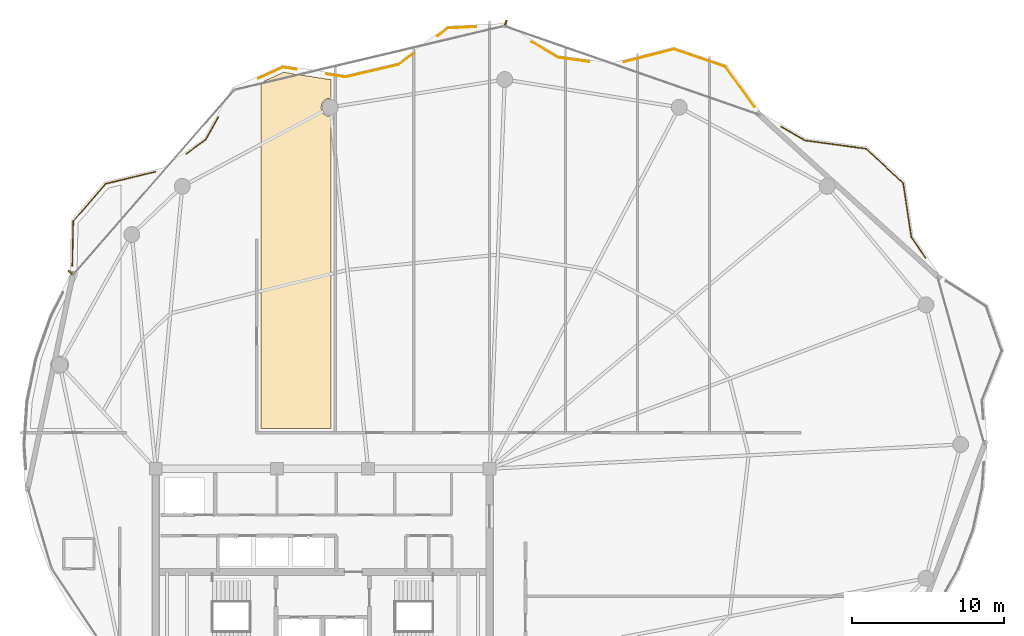
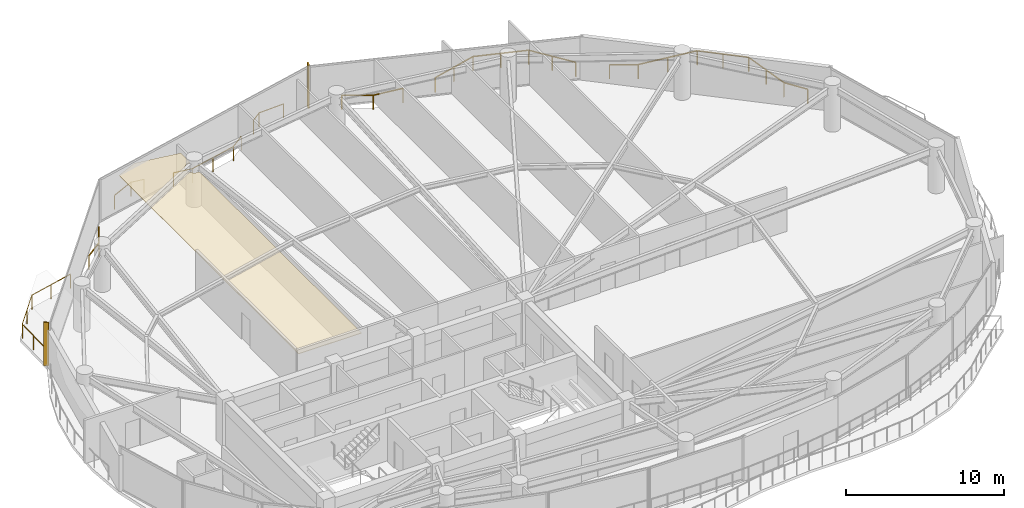
# One storey, part 28 of 28: 8 railings, 2 shading devices, 1 covering.
"""IFC4 building model written with IfcOpenShell, lengths in metres."""

from ifc_helpers import new_model, si_unit, direction, frame, origin, origin_2d, place, context, subcontext, project, spatial, polyline, rectangle, outline, extrude, material, layer, layer_set, type_object, element, save


model = new_model("IFC4")

# Units and contexts
model_context = context("Model", 3, precision=1e-05, world=origin(), true_north=direction((0.0, 1.0)))
body_context = subcontext(model_context, "Body", "Model", "MODEL_VIEW")
ifc_project = project(units=[si_unit("LENGTHUNIT", "METRE"), si_unit("AREAUNIT", "SQUARE_METRE"), si_unit("VOLUMEUNIT", "CUBIC_METRE"), si_unit("PLANEANGLEUNIT", "RADIAN"), si_unit("MASSUNIT", "GRAM", prefix="KILO")], contexts=[model_context])

# Site, building, storey
site_placement = place(None, origin())
site = spatial("IfcSite", under=ifc_project, at=site_placement, CompositionType="ELEMENT")
building_placement = place(site_placement, origin())
building = spatial("IfcBuilding", under=site, at=building_placement, Name="Kazevale Care Tower and Concert Hall", CompositionType="ELEMENT")
storey_placement = place(building_placement, frame((0.0, 0.0, 228.0)))
storey = spatial("IfcBuildingStorey", under=building, at=storey_placement, Name="L60", CompositionType="ELEMENT", Elevation=228.0)

# Covering
ifc_material_1 = material(Name="Acoustic Plaster and Hinoki Wood", Category="wood")
ifc_layer = layer(ifc_material_1, 0.0400390625)
ifc_layer_set = layer_set([ifc_layer], Name="Acoustic Plaster and Hinoki Wood")
covering_type = type_object("IfcCoveringType", Name="Acoustic Perforated Wood-Gypsum Ceiling", PredefinedType="CEILING", material=ifc_layer_set)
covering_placement = place(storey_placement, frame((0.0, 0.0, 2.7099609375)))
element("IfcCovering", 1, at=covering_placement, inside=storey, type_object=covering_type, Name="clg:L60:2", PredefinedType="CEILING", context=body_context, shape_type="SweptSolid", body=[
    extrude(outline(polyline([(30.4208984375, 62.52587890625), (33.550048828125, 62.034912109375), (33.550048828125, 60.820068359375), (33.26806640625, 60.779052734375), (33.072021484375, 60.64794921875), (32.94091796875, 60.451904296875), (32.89501953125, 60.219970703125), (32.94091796875, 59.988037109375), (33.072021484375, 59.7919921875), (33.26806640625, 59.660888671875), (33.550048828125, 59.6201171875), (33.550048828125, 39.054931640625), (28.929931640625, 39.054931640625), (28.929931640625, 61.847900390625), (30.4208984375, 62.52587890625)])), origin(), (0.0, 0.0, 1.0), 0.0400390625),
])

# Railings
ifc_material_2 = material(Name="Anodised Bronze Aluminium and Laminated Glass", Category="aluminium")
railing_type = type_object("IfcRailingType", Name="Balcony and Terrace Balustrade 1120", PredefinedType="BALUSTRADE", material=ifc_material_2)
railing_1_placement = place(storey_placement, frame((16.5009765625, 49.77392578125, 0.0)))
element("IfcRailing", 2, at=railing_1_placement, inside=storey, type_object=railing_type, Name="rail:L60:perim:2", PredefinedType="BALUSTRADE", context=body_context, shape_type="SweptSolid", body=[
    extrude(rectangle(XDim=0.048095703125, YDim=0.048095703125, at=origin_2d()), frame((0.0, 0.0, 1.09619140625), z_axis=(0.020776893953, 0.99978413704, 0.0), x_axis=(-0.99978413704, 0.020776893953, 0.0)), (0.0, 0.0, 1.0), 2.937744140625),
    extrude(rectangle(XDim=0.048095703125, YDim=0.048095703125, at=origin_2d()), frame((0.06103515625, 2.93701171875, 1.09619140625), z_axis=(0.653442230106, 0.75697638795, 0.0), x_axis=(-0.75697638795, 0.653442230106, 0.0)), (0.0, 0.0, 1.0), 3.256591796875),
    extrude(rectangle(XDim=0.048095703125, YDim=0.048095703125, at=origin_2d()), frame((2.18896484375, 5.402099609375, 1.09619140625), z_axis=(0.972048614054, 0.234779666741, 0.0), x_axis=(-0.234779666741, 0.972048614054, 0.0)), (0.0, 0.0, 1.0), 3.373291015625),
    extrude(rectangle(XDim=0.0419921875, YDim=0.0419921875, at=origin_2d()), origin(), (0.0, 0.0, 1.0), 1.072021484375),
    extrude(rectangle(XDim=0.0419921875, YDim=0.0419921875, at=origin_2d()), frame((0.030517578125, 1.468505859375, 0.0)), (0.0, 0.0, 1.0), 1.072021484375),
    extrude(rectangle(XDim=0.0419921875, YDim=0.0419921875, at=origin_2d()), frame((0.06103515625, 2.93701171875, 0.0)), (0.0, 0.0, 1.0), 1.072021484375),
    extrude(rectangle(XDim=0.0419921875, YDim=0.0419921875, at=origin_2d()), frame((1.125, 4.16943359375, 0.0)), (0.0, 0.0, 1.0), 1.072021484375),
    extrude(rectangle(XDim=0.0419921875, YDim=0.0419921875, at=origin_2d()), frame((2.18896484375, 5.402099609375, 0.0)), (0.0, 0.0, 1.0), 1.072021484375),
    extrude(rectangle(XDim=0.0419921875, YDim=0.0419921875, at=origin_2d()), frame((3.82861328125, 5.798095703125, 0.0)), (0.0, 0.0, 1.0), 1.072021484375),
    extrude(rectangle(XDim=0.0419921875, YDim=0.0419921875, at=origin_2d()), frame((5.468017578125, 6.194091796875, 0.0)), (0.0, 0.0, 1.0), 1.072021484375),
])
railing_2_placement = place(storey_placement, frame((24.01708984375, 57.159912109375, 0.0)))
element("IfcRailing", 3, at=railing_2_placement, inside=storey, type_object=railing_type, Name="rail:L60:perim:3", PredefinedType="BALUSTRADE", context=body_context, shape_type="SweptSolid", body=[
    extrude(rectangle(XDim=0.048095703125, YDim=0.048095703125, at=origin_2d()), frame((0.0, 0.0, 1.09619140625), z_axis=(0.809493304449, 0.587129108504, 0.0), x_axis=(-0.587129108504, 0.809493304449, 0.0)), (0.0, 0.0, 1.0), 1.56005859375),
    extrude(rectangle(XDim=0.048095703125, YDim=0.048095703125, at=origin_2d()), frame((1.262939453125, 0.916015625, 1.09619140625), z_axis=(0.490315047546, 0.871545267987, 0.0), x_axis=(-0.871545267987, 0.490315047546, 0.0)), (0.0, 0.0, 1.0), 1.723388671875),
    extrude(rectangle(XDim=0.0419921875, YDim=0.0419921875, at=origin_2d()), origin(), (0.0, 0.0, 1.0), 1.072021484375),
    extrude(rectangle(XDim=0.0419921875, YDim=0.0419921875, at=origin_2d()), frame((1.262939453125, 0.916015625, 0.0)), (0.0, 0.0, 1.0), 1.072021484375),
    extrude(rectangle(XDim=0.0419921875, YDim=0.0419921875, at=origin_2d()), frame((2.10791015625, 2.41796875, 0.0)), (0.0, 0.0, 1.0), 1.072021484375),
])
railing_3_placement = place(storey_placement, frame((28.763916015625, 62.125, 0.0)))
element("IfcRailing", 4, at=railing_3_placement, inside=storey, type_object=railing_type, Name="rail:L60:perim:4", PredefinedType="BALUSTRADE", context=body_context, shape_type="SweptSolid", body=[
    extrude(rectangle(XDim=0.048095703125, YDim=0.048095703125, at=origin_2d()), frame((0.0, 0.0, 1.09619140625), z_axis=(0.91054113019, 0.413418492853, 0.0), x_axis=(-0.413418492853, 0.91054113019, 0.0)), (0.0, 0.0, 1.0), 1.7705078125),
    extrude(rectangle(XDim=0.048095703125, YDim=0.048095703125, at=origin_2d()), frame((1.612060546875, 0.73193359375, 1.09619140625), z_axis=(0.98790083214, -0.155086897758, 0.0), x_axis=(0.155086897758, 0.98790083214, 0.0)), (0.0, 0.0, 1.0), 0.902099609375),
    extrude(rectangle(XDim=0.0419921875, YDim=0.0419921875, at=origin_2d()), origin(), (0.0, 0.0, 1.0), 1.072021484375),
    extrude(rectangle(XDim=0.0419921875, YDim=0.0419921875, at=origin_2d()), frame((1.612060546875, 0.73193359375, 0.0)), (0.0, 0.0, 1.0), 1.072021484375),
    extrude(rectangle(XDim=0.0419921875, YDim=0.0419921875, at=origin_2d()), frame((2.503173828125, 0.592041015625, 0.0)), (0.0, 0.0, 1.0), 1.072021484375),
])
railing_4_placement = place(storey_placement, frame((33.2509765625, 62.406005859375, 0.0)))
element("IfcRailing", 5, at=railing_4_placement, inside=storey, type_object=railing_type, Name="rail:L60:perim:5", PredefinedType="BALUSTRADE", context=body_context, shape_type="SweptSolid", body=[
    extrude(rectangle(XDim=0.048095703125, YDim=0.048095703125, at=origin_2d()), frame((0.0, 0.0, 1.09619140625), z_axis=(0.987942088413, -0.154823867485, 0.0), x_axis=(0.154823867485, 0.987942088413, 0.0)), (0.0, 0.0, 1.0), 1.266357421875),
    extrude(rectangle(XDim=0.048095703125, YDim=0.048095703125, at=origin_2d()), frame((1.2509765625, -0.196044921875, 1.09619140625), z_axis=(0.973807958737, 0.227372072823, 0.0), x_axis=(-0.227372072823, 0.973807958737, 0.0)), (0.0, 0.0, 1.0), 3.57568359375),
    extrude(rectangle(XDim=0.048095703125, YDim=0.048095703125, at=origin_2d()), frame((4.73291015625, 0.616943359375, 1.09619140625), z_axis=(0.805798451747, 0.592189881003, 0.0), x_axis=(-0.592189881003, 0.805798451747, 0.0)), (0.0, 0.0, 1.0), 1.2548828125),
    extrude(rectangle(XDim=0.0419921875, YDim=0.0419921875, at=origin_2d()), origin(), (0.0, 0.0, 1.0), 1.072021484375),
    extrude(rectangle(XDim=0.0419921875, YDim=0.0419921875, at=origin_2d()), frame((1.2509765625, -0.196044921875, 0.0)), (0.0, 0.0, 1.0), 1.072021484375),
    extrude(rectangle(XDim=0.0419921875, YDim=0.0419921875, at=origin_2d()), frame((2.991943359375, 0.21044921875, 0.0)), (0.0, 0.0, 1.0), 1.072021484375),
    extrude(rectangle(XDim=0.0419921875, YDim=0.0419921875, at=origin_2d()), frame((4.73291015625, 0.616943359375, 0.0)), (0.0, 0.0, 1.0), 1.072021484375),
    extrude(rectangle(XDim=0.0419921875, YDim=0.0419921875, at=origin_2d()), frame((5.744140625, 1.360107421875, 0.0)), (0.0, 0.0, 1.0), 1.072021484375),
])
railing_5_placement = place(storey_placement, frame((40.56396484375, 64.9189453125, 0.0)))
element("IfcRailing", 6, at=railing_5_placement, inside=storey, type_object=railing_type, Name="rail:L60:perim:6", PredefinedType="BALUSTRADE", context=body_context, shape_type="SweptSolid", body=[
    extrude(rectangle(XDim=0.048095703125, YDim=0.048095703125, at=origin_2d()), frame((0.0, 0.0, 1.09619140625), z_axis=(0.805713579929, 0.592305349561, 0.0), x_axis=(-0.592305349561, 0.805713579929, 0.0)), (0.0, 0.0, 1.0), 0.876220703125),
    extrude(rectangle(XDim=0.048095703125, YDim=0.048095703125, at=origin_2d()), frame((0.7060546875, 0.51904296875, 1.09619140625), z_axis=(0.998940261438, 0.046025580694, 0.0), x_axis=(-0.046025580694, 0.998940261438, 0.0)), (0.0, 0.0, 1.0), 1.845947265625),
    extrude(rectangle(XDim=0.0419921875, YDim=0.0419921875, at=origin_2d()), origin(), (0.0, 0.0, 1.0), 1.072021484375),
    extrude(rectangle(XDim=0.0419921875, YDim=0.0419921875, at=origin_2d()), frame((0.7060546875, 0.51904296875, 0.0)), (0.0, 0.0, 1.0), 1.072021484375),
    extrude(rectangle(XDim=0.0419921875, YDim=0.0419921875, at=origin_2d()), frame((2.550048828125, 0.60400390625, 0.0)), (0.0, 0.0, 1.0), 1.072021484375),
])
railing_6_placement = place(storey_placement, frame((46.783935546875, 64.529052734375, 0.0)))
element("IfcRailing", 7, at=railing_6_placement, inside=storey, type_object=railing_type, Name="rail:L60:perim:7", PredefinedType="BALUSTRADE", context=body_context, shape_type="SweptSolid", body=[
    extrude(rectangle(XDim=0.048095703125, YDim=0.048095703125, at=origin_2d()), frame((0.0, 0.0, 1.09619140625), z_axis=(0.859958006391, -0.510364798202, 0.0), x_axis=(0.510364798202, 0.859958006391, 0.0)), (0.0, 0.0, 1.0), 2.010498046875),
    extrude(rectangle(XDim=0.048095703125, YDim=0.048095703125, at=origin_2d()), frame((1.72900390625, -1.026123046875, 1.09619140625), z_axis=(0.990617777662, -0.136661693898, 0.0), x_axis=(0.136661693898, 0.990617777662, 0.0)), (0.0, 0.0, 1.0), 2.0400390625),
    extrude(rectangle(XDim=0.0419921875, YDim=0.0419921875, at=origin_2d()), origin(), (0.0, 0.0, 1.0), 1.072021484375),
    extrude(rectangle(XDim=0.0419921875, YDim=0.0419921875, at=origin_2d()), frame((1.72900390625, -1.026123046875, 0.0)), (0.0, 0.0, 1.0), 1.072021484375),
    extrude(rectangle(XDim=0.0419921875, YDim=0.0419921875, at=origin_2d()), frame((3.75, -1.304931640625, 0.0)), (0.0, 0.0, 1.0), 1.072021484375),
])
railing_7_placement = place(storey_placement, frame((52.8779296875, 63.212890625, 0.0)))
element("IfcRailing", 8, at=railing_7_placement, inside=storey, type_object=railing_type, Name="rail:L60:perim:8", PredefinedType="BALUSTRADE", context=body_context, shape_type="SweptSolid", body=[
    extrude(rectangle(XDim=0.048095703125, YDim=0.048095703125, at=origin_2d()), frame((0.0, 0.0, 1.09619140625), z_axis=(0.968841143246, 0.24768294078, 0.0), x_axis=(-0.24768294078, 0.968841143246, 0.0)), (0.0, 0.0, 1.0), 3.3681640625),
    extrude(rectangle(XDim=0.048095703125, YDim=0.048095703125, at=origin_2d()), frame((3.26318359375, 0.834228515625, 1.09619140625), z_axis=(0.946598937376, -0.322413479492, 0.0), x_axis=(0.322413479492, 0.946598937376, 0.0)), (0.0, 0.0, 1.0), 3.607421875),
    extrude(rectangle(XDim=0.048095703125, YDim=0.048095703125, at=origin_2d()), frame((6.677978515625, -0.328857421875, 1.09619140625), z_axis=(0.584785546416, -0.811187934269, 0.0), x_axis=(0.811187934269, 0.584785546416, 0.0)), (0.0, 0.0, 1.0), 3.26318359375),
    extrude(rectangle(XDim=0.0419921875, YDim=0.0419921875, at=origin_2d()), origin(), (0.0, 0.0, 1.0), 1.072021484375),
    extrude(rectangle(XDim=0.0419921875, YDim=0.0419921875, at=origin_2d()), frame((1.631591796875, 0.4169921875, 0.0)), (0.0, 0.0, 1.0), 1.072021484375),
    extrude(rectangle(XDim=0.0419921875, YDim=0.0419921875, at=origin_2d()), frame((3.26318359375, 0.834228515625, 0.0)), (0.0, 0.0, 1.0), 1.072021484375),
    extrude(rectangle(XDim=0.0419921875, YDim=0.0419921875, at=origin_2d()), frame((4.970703125, 0.252685546875, 0.0)), (0.0, 0.0, 1.0), 1.072021484375),
    extrude(rectangle(XDim=0.0419921875, YDim=0.0419921875, at=origin_2d()), frame((6.677978515625, -0.328857421875, 0.0)), (0.0, 0.0, 1.0), 1.072021484375),
    extrude(rectangle(XDim=0.0419921875, YDim=0.0419921875, at=origin_2d()), frame((7.632080078125, -1.65234375, 0.0)), (0.0, 0.0, 1.0), 1.072021484375),
    extrude(rectangle(XDim=0.0419921875, YDim=0.0419921875, at=origin_2d()), frame((8.586181640625, -2.975830078125, 0.0)), (0.0, 0.0, 1.0), 1.072021484375),
])
railing_8_placement = place(storey_placement, frame((63.200927734375, 58.946044921875, 0.0)))
element("IfcRailing", 9, at=railing_8_placement, inside=storey, type_object=railing_type, Name="rail:L60:perim:9", PredefinedType="BALUSTRADE", context=body_context, shape_type="SweptSolid", body=[
    extrude(rectangle(XDim=0.048095703125, YDim=0.048095703125, at=origin_2d()), frame((0.0, 0.0, 1.09619140625), z_axis=(0.866524193864, -0.49913507335, 0.0), x_axis=(0.49913507335, 0.866524193864, 0.0)), (0.0, 0.0, 1.0), 1.823486328125),
    extrude(rectangle(XDim=0.048095703125, YDim=0.048095703125, at=origin_2d()), frame((1.580078125, -0.91015625, 1.09619140625), z_axis=(0.990877699691, -0.134764180164, 0.0), x_axis=(0.134764180164, 0.990877699691, 0.0)), (0.0, 0.0, 1.0), 4.05810546875),
    extrude(rectangle(XDim=0.048095703125, YDim=0.048095703125, at=origin_2d()), frame((5.60107421875, -1.45703125, 1.09619140625), z_axis=(0.73603461898, -0.676943896983, 0.0), x_axis=(0.676943896983, 0.73603461898, 0.0)), (0.0, 0.0, 1.0), 3.334228515625),
    extrude(rectangle(XDim=0.048095703125, YDim=0.048095703125, at=origin_2d()), frame((8.05517578125, -3.714111328125, 1.09619140625), z_axis=(0.148940997459, -0.988846084725, 0.0), x_axis=(0.988846084725, 0.148940997459, 0.0)), (0.0, 0.0, 1.0), 3.597900390625),
    extrude(rectangle(XDim=0.048095703125, YDim=0.048095703125, at=origin_2d()), frame((8.591064453125, -7.27197265625, 1.09619140625), z_axis=(0.562761257822, -0.826619481197, 0.0), x_axis=(0.826619481197, 0.562761257822, 0.0)), (0.0, 0.0, 1.0), 1.671875),
    extrude(rectangle(XDim=0.0419921875, YDim=0.0419921875, at=origin_2d()), origin(), (0.0, 0.0, 1.0), 1.072021484375),
    extrude(rectangle(XDim=0.0419921875, YDim=0.0419921875, at=origin_2d()), frame((1.580078125, -0.91015625, 0.0)), (0.0, 0.0, 1.0), 1.072021484375),
    extrude(rectangle(XDim=0.0419921875, YDim=0.0419921875, at=origin_2d()), frame((3.590576171875, -1.18359375, 0.0)), (0.0, 0.0, 1.0), 1.072021484375),
    extrude(rectangle(XDim=0.0419921875, YDim=0.0419921875, at=origin_2d()), frame((5.60107421875, -1.45703125, 0.0)), (0.0, 0.0, 1.0), 1.072021484375),
    extrude(rectangle(XDim=0.0419921875, YDim=0.0419921875, at=origin_2d()), frame((6.828125, -2.58544921875, 0.0)), (0.0, 0.0, 1.0), 1.072021484375),
    extrude(rectangle(XDim=0.0419921875, YDim=0.0419921875, at=origin_2d()), frame((8.05517578125, -3.714111328125, 0.0)), (0.0, 0.0, 1.0), 1.072021484375),
    extrude(rectangle(XDim=0.0419921875, YDim=0.0419921875, at=origin_2d()), frame((8.3232421875, -5.4931640625, 0.0)), (0.0, 0.0, 1.0), 1.072021484375),
    extrude(rectangle(XDim=0.0419921875, YDim=0.0419921875, at=origin_2d()), frame((8.591064453125, -7.27197265625, 0.0)), (0.0, 0.0, 1.0), 1.072021484375),
    extrude(rectangle(XDim=0.0419921875, YDim=0.0419921875, at=origin_2d()), frame((9.531982421875, -8.654052734375, 0.0)), (0.0, 0.0, 1.0), 1.072021484375),
])

# Shading devices
ifc_material_3 = material(Name="Anodised Bronze Aluminium", Category="aluminium")
shading_device_type = type_object("IfcShadingDeviceType", Name="Waist Anodised Bronze-Stone Fin FIN-02", PredefinedType="USERDEFINED", material=ifc_material_3)
for number, where, z_axis, x_axis, name in (
    (10, (16.361328125, 49.347412109375, 0.0), (0.0, 0.0, 1.0), (-0.753792813636, 0.657112162503, 0.0), "cw:L60:f14:fin"),
    (11, (45.075927734375, 65.796630859375, 0.0), (0.0, 0.0, 1.0), (0.328536977169, 0.944491108816, 0.0), "cw:L60:f16:fin"),
):
    element("IfcShadingDevice", number, at=place(storey_placement, frame(where, z_axis=z_axis, x_axis=x_axis)), inside=storey, type_object=shading_device_type, Name=name, ObjectType="FIN", PredefinedType="USERDEFINED", context=body_context, shape_type="SweptSolid", body=[
        extrude(rectangle(XDim=0.340087890625, YDim=0.10009765625, at=origin_2d()), origin(), (0.0, 0.0, 1.0), 3.360107421875),
    ])

save(model, "model.ifc")
